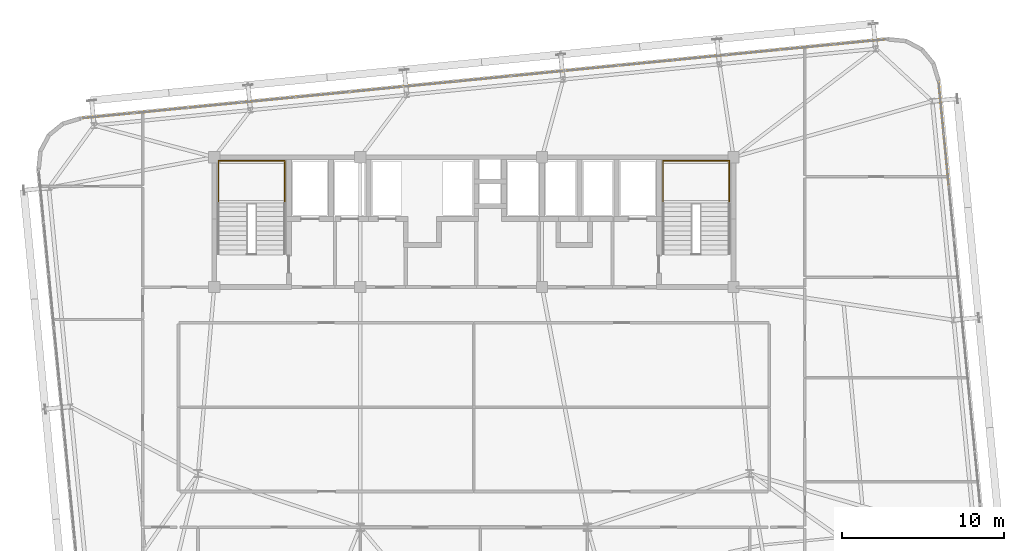
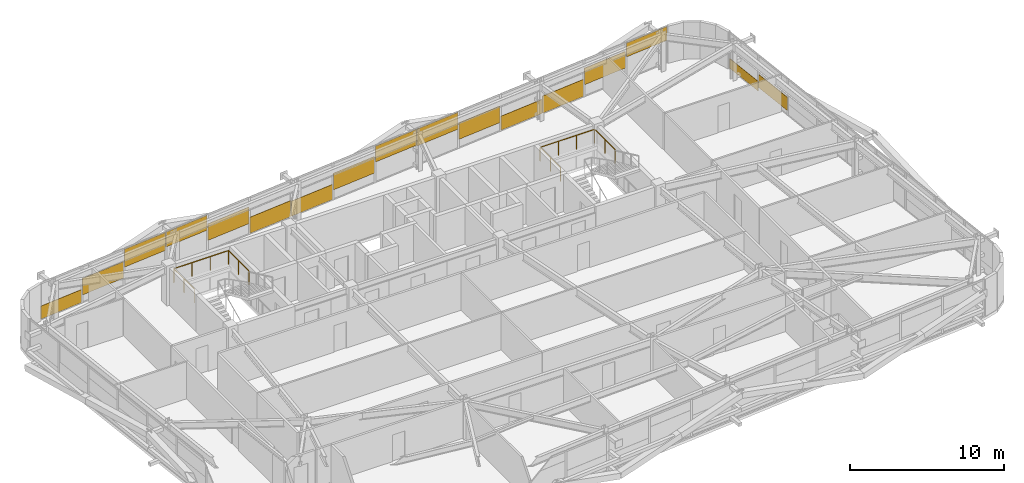
# One storey, part 52 of 52: 17 coverings, 2 railings.
"""IFC4 building model written with IfcOpenShell, lengths in metres."""

from ifc_helpers import new_model, si_unit, direction, frame, origin, origin_2d, place, context, subcontext, project, spatial, rectangle, extrude, source, transform, mapped, material, layer, layer_set, type_object, element, save


model = new_model("IFC4")

# Units and contexts
model_context = context("Model", 3, precision=1e-05, world=origin(), true_north=direction((0.0, 1.0)))
body_context = subcontext(model_context, "Body", "Model", "MODEL_VIEW")
ifc_project = project(units=[si_unit("LENGTHUNIT", "METRE"), si_unit("AREAUNIT", "SQUARE_METRE"), si_unit("VOLUMEUNIT", "CUBIC_METRE"), si_unit("PLANEANGLEUNIT", "RADIAN"), si_unit("MASSUNIT", "GRAM", prefix="KILO")], contexts=[model_context])

# Site, building, storey
site_placement = place(None, origin())
site = spatial("IfcSite", under=ifc_project, at=site_placement, CompositionType="ELEMENT")
building_placement = place(site_placement, origin())
building = spatial("IfcBuilding", under=site, at=building_placement, Name="Taldren Reach Tower", CompositionType="ELEMENT")
storey_placement = place(building_placement, frame((0.0, 0.0, 74.550048828125)))
storey = spatial("IfcBuildingStorey", under=building, at=storey_placement, Name="L22", CompositionType="ELEMENT", Elevation=74.550048828125)

# Railings
ifc_material_1 = material(Name="Steel Gr 350 (C350L0)", Category="steel")
ifc_layer_1 = layer(ifc_material_1, 0.050048828125)
ifc_layer_set_1 = layer_set([ifc_layer_1], Name="Steel Gr 350 (C350L0)")
railing_type = type_object("IfcRailingType", Name="RL-STAIR-GR", PredefinedType="GUARDRAIL", material=ifc_layer_set_1)
for number, where, name in (
    (1, (19.260009765625, 29.135009765625, 1.574951171875), "Stair half-landing perimeter guard ST1-L22"),
    (2, (46.659912109375, 29.135009765625, 1.574951171875), "Stair half-landing perimeter guard ST2-L22"),
):
    element("IfcRailing", number, at=place(storey_placement, frame(where)), inside=storey, type_object=railing_type, Name=name, PredefinedType="GUARDRAIL", context=body_context, shape_type="SweptSolid", body=[
        extrude(rectangle(XDim=0.047852, YDim=0.047852, at=origin_2d()), frame((0.0, 0.0, 1.09619140625), z_axis=(0.0, 1.0, 0.0), x_axis=(-1.0, 0.0, 0.0)), (0.0, 0.0, 1.0), 2.64501953125),
        extrude(rectangle(XDim=0.047852, YDim=0.047852, at=origin_2d()), frame((0.0, 2.64501953125, 1.09619140625), z_axis=(1.0, 0.0, 0.0), x_axis=(0.0, 1.0, 0.0)), (0.0, 0.0, 1.0), 4.080078125),
        extrude(rectangle(XDim=0.047852, YDim=0.047852, at=origin_2d()), frame((4.080078125, 2.64501953125, 1.09619140625), z_axis=(0.0, -1.0, 0.0), x_axis=(1.0, 0.0, 0.0)), (0.0, 0.0, 1.0), 2.64501953125),
        extrude(rectangle(XDim=0.041992, YDim=0.041992, at=origin_2d()), origin(), (0.0, 0.0, 1.0), 1.072021484375),
        extrude(rectangle(XDim=0.041992, YDim=0.041992, at=origin_2d()), frame((0.0, 1.322509765625, 0.0)), (0.0, 0.0, 1.0), 1.072021484375),
        extrude(rectangle(XDim=0.041992, YDim=0.041992, at=origin_2d()), frame((0.0, 2.64501953125, 0.0)), (0.0, 0.0, 1.0), 1.072021484375),
        extrude(rectangle(XDim=0.041992, YDim=0.041992, at=origin_2d()), frame((1.360107421875, 2.64501953125, 0.0)), (0.0, 0.0, 1.0), 1.072021484375),
        extrude(rectangle(XDim=0.041992, YDim=0.041992, at=origin_2d()), frame((2.719970703125, 2.64501953125, 0.0)), (0.0, 0.0, 1.0), 1.072021484375),
        extrude(rectangle(XDim=0.041992, YDim=0.041992, at=origin_2d()), frame((4.080078125, 2.64501953125, 0.0)), (0.0, 0.0, 1.0), 1.072021484375),
        extrude(rectangle(XDim=0.041992, YDim=0.041992, at=origin_2d()), frame((4.080078125, 1.322509765625, 0.0)), (0.0, 0.0, 1.0), 1.072021484375),
        extrude(rectangle(XDim=0.041992, YDim=0.041992, at=origin_2d()), frame((4.080078125, 0.0, 0.0)), (0.0, 0.0, 1.0), 1.072021484375),
    ])

# Coverings
ifc_material_2 = material(Name="Pale Champagne Fluoropolymer Aluminium Spandrel Cladding", Category="aluminium")
ifc_layer_2 = layer(ifc_material_2, 0.0439453125)
ifc_layer_set_2 = layer_set([ifc_layer_2], Name="Pale Champagne Fluoropolymer Aluminium Spandrel Cladding")
covering_type = type_object("IfcCoveringType", Name="CV-CLAD-044", PredefinedType="CLADDING", material=ifc_layer_set_2)
shared_shape_1 = source(origin(), body_context, "Body", "SweptSolid", [
    extrude(rectangle(XDim=3.23583984375, YDim=0.0439453125, at=origin_2d()), origin(), (0.0, 0.0, 1.0), 1.094970703125),
])
covering_1_placement = place(storey_placement, frame((58.83740234375, 39.101318359375, 1.77978515625), z_axis=(0.0, 0.0, 1.0), x_axis=(-0.995227390247, -0.097582999046, 0.0)))
element("IfcCovering", 3, at=covering_1_placement, inside=storey, type_object=covering_type, Name="Diagrid closure cladding strip CW-3 panel 1.1 1", PredefinedType="CLADDING", context=body_context, shape_type="MappedRepresentation", body=[
    mapped(shared_shape_1, transform((0.0, 0.0, 0.0), scale=1.0)),
])
shared_shape_2 = source(origin(), body_context, "Body", "SweptSolid", [
    extrude(rectangle(XDim=3.268310546875, YDim=0.0439453125, at=origin_2d()), origin(), (0.0, 0.0, 1.0), 1.3046875),
])
for number, where, z_axis, x_axis, name in (
    (4, (55.5361328125, 38.777587890625, 0.943359375), (0.0, 0.0, 1.0), (-0.995227390247, -0.097582999046, 0.0), "Diagrid closure cladding strip CW-3 panel 2.1 1"),
    (5, (45.583740234375, 37.8017578125, 0.702392578125), (0.0, 0.0, 1.0), (-0.995227390247, -0.097582999046, 0.0), "Diagrid closure cladding strip CW-3 panel 5.1 1"),
    (6, (35.631591796875, 36.825927734375, 0.78271484375), (0.0, 0.0, 1.0), (-0.995227390247, -0.097582999046, 0.0), "Diagrid closure cladding strip CW-3 panel 8.1 1"),
    (7, (25.67919921875, 35.85009765625, 0.863037109375), (0.0, 0.0, 1.0), (-0.995227390247, -0.097582999046, 0.0), "Diagrid closure cladding strip CW-3 panel 11.1 1"),
    (8, (15.72705078125, 34.874267578125, 0.621826171875), (0.0, 0.0, 1.0), (-0.995227390247, -0.097582999046, 0.0), "Diagrid closure cladding strip CW-3 panel 14.1 1"),
):
    element("IfcCovering", number, at=place(storey_placement, frame(where, z_axis=z_axis, x_axis=x_axis)), inside=storey, type_object=covering_type, Name=name, PredefinedType="CLADDING", context=body_context, shape_type="MappedRepresentation", body=[
        mapped(shared_shape_2, transform((0.0, 0.0, 0.0), scale=1.0)),
    ])
shared_shape_3 = source(origin(), body_context, "Body", "SweptSolid", [
    extrude(rectangle(XDim=3.268310546875, YDim=0.0439453125, at=origin_2d()), origin(), (0.0, 0.0, 1.0), 1.356201171875),
])
covering_2_placement = place(storey_placement, frame((52.21875, 38.452392578125, 0.05517578125), z_axis=(0.0, 0.0, 1.0), x_axis=(-0.995227390247, -0.097582999046, 0.0)))
element("IfcCovering", 9, at=covering_2_placement, inside=storey, type_object=covering_type, Name="Diagrid closure cladding strip CW-3 panel 3.1 1", PredefinedType="CLADDING", context=body_context, shape_type="MappedRepresentation", body=[
    mapped(shared_shape_3, transform((0.0, 0.0, 0.0), scale=1.0)),
])
shared_shape_4 = source(origin(), body_context, "Body", "SweptSolid", [
    extrude(rectangle(XDim=3.268310546875, YDim=0.0439453125, at=origin_2d()), origin(), (0.0, 0.0, 1.0), 1.115234375),
])
covering_3_placement = place(storey_placement, frame((48.9013671875, 38.126953125, 0.054931640625), z_axis=(0.0, 0.0, 1.0), x_axis=(-0.995227390247, -0.097582999046, 0.0)))
element("IfcCovering", 10, at=covering_3_placement, inside=storey, type_object=covering_type, Name="Diagrid closure cladding strip CW-3 panel 4.1 1", PredefinedType="CLADDING", context=body_context, shape_type="MappedRepresentation", body=[
    mapped(shared_shape_4, transform((0.0, 0.0, 0.0), scale=1.0)),
])
shared_shape_5 = source(origin(), body_context, "Body", "SweptSolid", [
    extrude(rectangle(XDim=3.268310546875, YDim=0.0439453125, at=origin_2d()), origin(), (0.0, 0.0, 1.0), 1.3359375),
])
covering_4_placement = place(storey_placement, frame((42.266357421875, 37.4765625, 1.5390625), z_axis=(0.0, 0.0, 1.0), x_axis=(-0.995227390247, -0.097582999046, 0.0)))
element("IfcCovering", 11, at=covering_4_placement, inside=storey, type_object=covering_type, Name="Diagrid closure cladding strip CW-3 panel 6.1 1", PredefinedType="CLADDING", context=body_context, shape_type="MappedRepresentation", body=[
    mapped(shared_shape_5, transform((0.0, 0.0, 0.0), scale=1.0)),
])
shared_shape_6 = source(origin(), body_context, "Body", "SweptSolid", [
    extrude(rectangle(XDim=3.268310546875, YDim=0.0439453125, at=origin_2d()), origin(), (0.0, 0.0, 1.0), 1.255615234375),
])
covering_5_placement = place(storey_placement, frame((38.948974609375, 37.151123046875, 1.619140625), z_axis=(0.0, 0.0, 1.0), x_axis=(-0.995227390247, -0.097582999046, 0.0)))
element("IfcCovering", 12, at=covering_5_placement, inside=storey, type_object=covering_type, Name="Diagrid closure cladding strip CW-3 panel 7.1 1", PredefinedType="CLADDING", context=body_context, shape_type="MappedRepresentation", body=[
    mapped(shared_shape_6, transform((0.0, 0.0, 0.0), scale=1.0)),
])
shared_shape_7 = source(origin(), body_context, "Body", "SweptSolid", [
    extrude(rectangle(XDim=3.268310546875, YDim=0.0439453125, at=origin_2d()), origin(), (0.0, 0.0, 1.0), 1.195556640625),
])
covering_6_placement = place(storey_placement, frame((32.314208984375, 36.500732421875, 0.05517578125), z_axis=(0.0, 0.0, 1.0), x_axis=(-0.995227390247, -0.097582999046, 0.0)))
element("IfcCovering", 13, at=covering_6_placement, inside=storey, type_object=covering_type, Name="Diagrid closure cladding strip CW-3 panel 9.1 1", PredefinedType="CLADDING", context=body_context, shape_type="MappedRepresentation", body=[
    mapped(shared_shape_7, transform((0.0, 0.0, 0.0), scale=1.0)),
])
shared_shape_8 = source(origin(), body_context, "Body", "SweptSolid", [
    extrude(rectangle(XDim=3.268310546875, YDim=0.0439453125, at=origin_2d()), origin(), (0.0, 0.0, 1.0), 1.27587890625),
])
covering_7_placement = place(storey_placement, frame((28.996826171875, 36.17529296875, 0.054931640625), z_axis=(0.0, 0.0, 1.0), x_axis=(-0.995227390247, -0.097582999046, 0.0)))
element("IfcCovering", 14, at=covering_7_placement, inside=storey, type_object=covering_type, Name="Diagrid closure cladding strip CW-3 panel 10.1 1", PredefinedType="CLADDING", context=body_context, shape_type="MappedRepresentation", body=[
    mapped(shared_shape_8, transform((0.0, 0.0, 0.0), scale=1.0)),
])
shared_shape_9 = source(origin(), body_context, "Body", "SweptSolid", [
    extrude(rectangle(XDim=3.268310546875, YDim=0.0439453125, at=origin_2d()), origin(), (0.0, 0.0, 1.0), 1.17529296875),
])
covering_8_placement = place(storey_placement, frame((22.36181640625, 35.52490234375, 1.69970703125), z_axis=(0.0, 0.0, 1.0), x_axis=(-0.995227390247, -0.097582999046, 0.0)))
element("IfcCovering", 15, at=covering_8_placement, inside=storey, type_object=covering_type, Name="Diagrid closure cladding strip CW-3 panel 12.1 1", PredefinedType="CLADDING", context=body_context, shape_type="MappedRepresentation", body=[
    mapped(shared_shape_9, transform((0.0, 0.0, 0.0), scale=1.0)),
])
shared_shape_10 = source(origin(), body_context, "Body", "SweptSolid", [
    extrude(rectangle(XDim=3.268310546875, YDim=0.0439453125, at=origin_2d()), origin(), (0.0, 0.0, 1.0), 1.416259765625),
])
covering_9_placement = place(storey_placement, frame((19.04443359375, 35.199462890625, 1.45849609375), z_axis=(0.0, 0.0, 1.0), x_axis=(-0.995227390247, -0.097582999046, 0.0)))
element("IfcCovering", 16, at=covering_9_placement, inside=storey, type_object=covering_type, Name="Diagrid closure cladding strip CW-3 panel 13.1 1", PredefinedType="CLADDING", context=body_context, shape_type="MappedRepresentation", body=[
    mapped(shared_shape_10, transform((0.0, 0.0, 0.0), scale=1.0)),
])
shared_shape_11 = source(origin(), body_context, "Body", "SweptSolid", [
    extrude(rectangle(XDim=3.23583984375, YDim=0.0439453125, at=origin_2d()), origin(), (0.0, 0.0, 1.0), 1.034912109375),
])
covering_10_placement = place(storey_placement, frame((12.42578125, 34.550537109375, 0.05517578125), z_axis=(0.0, 0.0, 1.0), x_axis=(-0.995227390247, -0.097582999046, 0.0)))
element("IfcCovering", 17, at=covering_10_placement, inside=storey, type_object=covering_type, Name="Diagrid closure cladding strip CW-3 panel 15.1 1", PredefinedType="CLADDING", context=body_context, shape_type="MappedRepresentation", body=[
    mapped(shared_shape_11, transform((0.0, 0.0, 0.0), scale=1.0)),
])
shared_shape_12 = source(origin(), body_context, "Body", "SweptSolid", [
    extrude(rectangle(XDim=3.212890625, YDim=0.0439453125, at=origin_2d()), origin(), (0.0, 0.0, 1.0), 1.053466796875),
])
covering_11_placement = place(storey_placement, frame((64.117431640625, 31.80517578125, 0.35986328125), z_axis=(0.0, 0.0, 1.0), x_axis=(-0.09758274098, 0.99522741555, 0.0)))
element("IfcCovering", 18, at=covering_11_placement, inside=storey, type_object=covering_type, Name="Diagrid closure cladding strip CW-3 panel 8.1 1", PredefinedType="CLADDING", context=body_context, shape_type="MappedRepresentation", body=[
    mapped(shared_shape_12, transform((0.0, 0.0, 0.0), scale=1.0)),
])
shared_shape_13 = source(origin(), body_context, "Body", "SweptSolid", [
    extrude(rectangle(XDim=3.18017578125, YDim=0.0439453125, at=origin_2d()), origin(), (0.0, 0.0, 1.0), 0.7705078125),
])
covering_12_placement = place(storey_placement, frame((63.79931640625, 35.051025390625, 0.054931640625), z_axis=(0.0, 0.0, 1.0), x_axis=(-0.09758274098, 0.99522741555, 0.0)))
element("IfcCovering", 19, at=covering_12_placement, inside=storey, type_object=covering_type, Name="Diagrid closure cladding strip CW-3 panel 9.1 1", PredefinedType="CLADDING", context=body_context, shape_type="MappedRepresentation", body=[
    mapped(shared_shape_13, transform((0.0, 0.0, 0.0), scale=1.0)),
])

save(model, "model.ifc")
